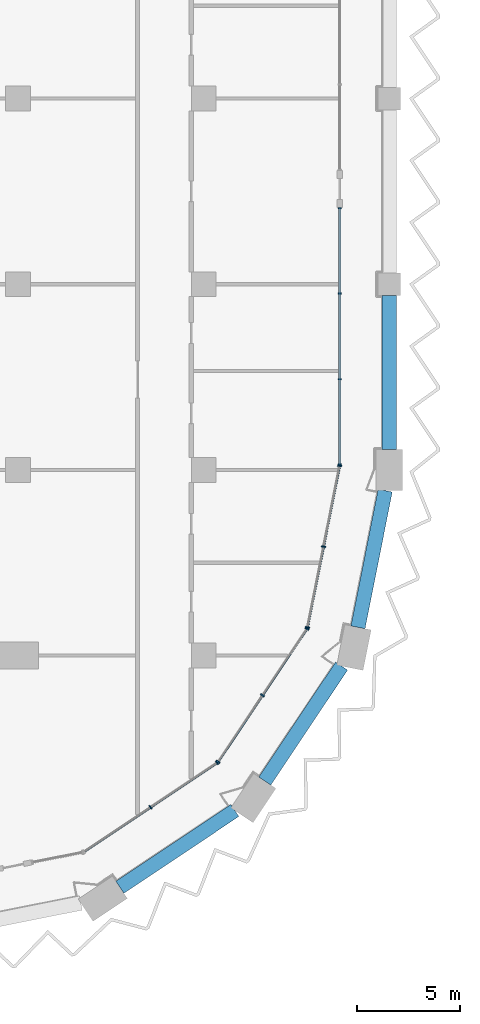
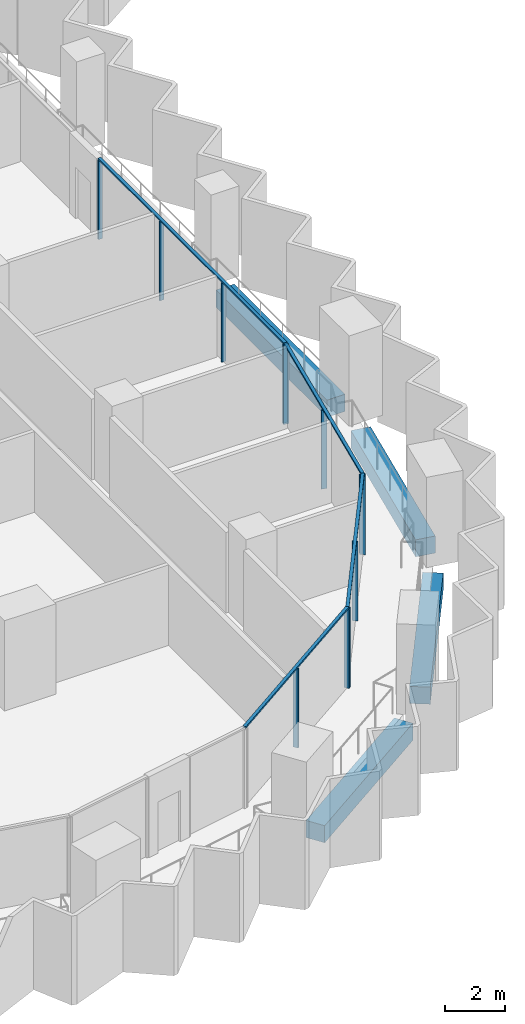
# One storey, part 3 of 22: 16 members, 4 beams, 4 elements without a shape of their own.
"""IFC4 building model written with IfcOpenShell, lengths in metres."""

from ifc_helpers import new_model, si_unit, direction, frame, origin, origin_2d, place, context, subcontext, project, spatial, rectangle, extrude, material, material_profile, profile_set, type_object, element, aggregate, save


model = new_model("IFC4")

# Units and contexts
model_context = context("Model", 3, precision=1e-05, world=origin(), true_north=direction((0.0, 1.0)))
body_context = subcontext(model_context, "Body", "Model", "MODEL_VIEW")
ifc_project = project(units=[si_unit("LENGTHUNIT", "METRE"), si_unit("AREAUNIT", "SQUARE_METRE"), si_unit("VOLUMEUNIT", "CUBIC_METRE"), si_unit("PLANEANGLEUNIT", "RADIAN"), si_unit("MASSUNIT", "GRAM", prefix="KILO")], contexts=[model_context])

# Site, building, storey
site_placement = place(None, origin())
site = spatial("IfcSite", under=ifc_project, at=site_placement, CompositionType="ELEMENT")
building_placement = place(site_placement, origin())
building = spatial("IfcBuilding", under=site, at=building_placement, Name="Hunhe Ridgeline Campus", CompositionType="ELEMENT")
storey_placement = place(building_placement, frame((0.0, 0.0, 137.5)))
storey = spatial("IfcBuildingStorey", under=building, at=storey_placement, Name="L34", CompositionType="ELEMENT", Elevation=137.5)

# Curtain wall, members
ifc_material_1 = material(Name="Aluminium 6063", Category="aluminium")
curtain_wall_type_1 = type_object("IfcCurtainWallType", Name="Curtain wall CW-1", PredefinedType="NOTDEFINED", material=ifc_material_1)
curtain_wall_1_placement = place(storey_placement, origin())
curtain_wall_1 = element("IfcCurtainWall", 1, at=curtain_wall_1_placement, inside=storey, type_object=curtain_wall_type_1, Name="Curtain wall 11", PredefinedType="NOTDEFINED")
ifc_material_profile_1 = material_profile(ifc_material_1, rectangle(XDim=0.159912109375, YDim=0.06005859375, at=origin_2d()))
ifc_profile_set_1 = profile_set([ifc_material_profile_1], Name="Aluminium 6063")
member_type_1 = type_object("IfcMemberType", Name="CW-1 aluminium mullion", PredefinedType="MULLION", material=ifc_profile_set_1)
member_1_placement = place(storey_placement, frame((42.59912109375, 27.266357421875, 0.0), z_axis=(0.0, 0.0, 1.0), x_axis=(-0.99999999999, 4.406345e-06, 0.0)))
member_1 = element("IfcMember", 2, at=member_1_placement, type_object=member_type_1, Name="CW-1 mullion 1", PredefinedType="MULLION", context=body_context, shape_type="SweptSolid", body=[
    extrude(rectangle(XDim=0.159912109375, YDim=0.06005859375, at=origin_2d()), origin(), (0.0, 0.0, 1.0), 3.239990234375),
])
member_2_placement = place(storey_placement, frame((42.59912109375, 31.397216796875, 0.0), z_axis=(0.0, 0.0, 1.0), x_axis=(-0.99999999999, 4.406345e-06, 0.0)))
member_2 = element("IfcMember", 3, at=member_2_placement, type_object=member_type_1, Name="CW-1 mullion 2", PredefinedType="MULLION", context=body_context, shape_type="SweptSolid", body=[
    extrude(rectangle(XDim=0.159912109375, YDim=0.06005859375, at=origin_2d()), origin(), (0.0, 0.0, 1.0), 3.239990234375),
])
member_3_placement = place(storey_placement, frame((42.59912109375, 35.557861328125, 0.0), z_axis=(0.0, 0.0, 1.0), x_axis=(-0.99999999999, 4.406345e-06, 0.0)))
member_3 = element("IfcMember", 4, at=member_3_placement, type_object=member_type_1, Name="CW-1 mullion 3", PredefinedType="MULLION", context=body_context, shape_type="SweptSolid", body=[
    extrude(rectangle(XDim=0.159912109375, YDim=0.06005859375, at=origin_2d()), origin(), (0.0, 0.0, 1.0), 3.239990234375),
])
member_4_placement = place(storey_placement, frame((42.59912109375, 39.6884765625, 0.0), z_axis=(0.0, 0.0, 1.0), x_axis=(-0.99999999999, 4.406345e-06, 0.0)))
member_4 = element("IfcMember", 5, at=member_4_placement, type_object=member_type_1, Name="CW-1 mullion 4", PredefinedType="MULLION", context=body_context, shape_type="SweptSolid", body=[
    extrude(rectangle(XDim=0.159912109375, YDim=0.06005859375, at=origin_2d()), origin(), (0.0, 0.0, 1.0), 3.239990234375),
])
ifc_material_profile_2 = material_profile(ifc_material_1, rectangle(XDim=0.1201171875, YDim=0.06005859375, at=origin_2d()))
ifc_profile_set_2 = profile_set([ifc_material_profile_2], Name="Aluminium 6063")
member_type_2 = type_object("IfcMemberType", Name="CW-1 aluminium transom", PredefinedType="USERDEFINED", material=ifc_profile_set_2)
member_5_placement = place(storey_placement, frame((42.59912109375, 27.236572265625, 3.27001953125), z_axis=(0.0, 1.0, 0.0), x_axis=(-1.0, 0.0, 0.0)))
member_5 = element("IfcMember", 6, at=member_5_placement, type_object=member_type_2, Name="CW-1 transom 1", ObjectType="TRANSOM", PredefinedType="USERDEFINED", context=body_context, shape_type="SweptSolid", body=[
    extrude(rectangle(XDim=0.1201171875, YDim=0.06005859375, at=origin_2d()), origin(), (0.0, 0.0, 1.0), 12.48193359375),
])
aggregate(curtain_wall_1, [member_5, member_1, member_2, member_3, member_4])

curtain_wall_type_2 = type_object("IfcCurtainWallType", Name="Curtain wall CW-5", PredefinedType="NOTDEFINED", material=ifc_material_1)
curtain_wall_2_placement = place(storey_placement, origin())
curtain_wall_2 = element("IfcCurtainWall", 7, at=curtain_wall_2_placement, inside=storey, type_object=curtain_wall_type_2, Name="Curtain wall 08", PredefinedType="NOTDEFINED")
ifc_material_profile_3 = material_profile(ifc_material_1, rectangle(XDim=0.199951171875, YDim=0.070068359375, at=origin_2d()))
ifc_profile_set_3 = profile_set([ifc_material_profile_3], Name="Aluminium 6063")
member_type_3 = type_object("IfcMemberType", Name="CW-5 aluminium mullion", PredefinedType="MULLION", material=ifc_profile_set_3)
member_6_placement = place(storey_placement, frame((33.42626953125, 10.647705078125, 0.0), z_axis=(0.0, 0.0, 1.0), x_axis=(-0.555570274596, 0.831469584522, 0.0)))
member_6 = element("IfcMember", 8, at=member_6_placement, type_object=member_type_3, Name="CW-5 mullion 2", PredefinedType="MULLION", context=body_context, shape_type="SweptSolid", body=[
    extrude(rectangle(XDim=0.199951171875, YDim=0.070068359375, at=origin_2d()), origin(), (0.0, 0.0, 1.0), 3.22998046875),
])
member_7_placement = place(storey_placement, frame((36.649658203125, 12.8017578125, 0.0), z_axis=(0.0, 0.0, 1.0), x_axis=(-0.555570274596, 0.831469584522, 0.0)))
member_7 = element("IfcMember", 9, at=member_7_placement, type_object=member_type_3, Name="CW-5 mullion 3", PredefinedType="MULLION", context=body_context, shape_type="SweptSolid", body=[
    extrude(rectangle(XDim=0.199951171875, YDim=0.070068359375, at=origin_2d()), origin(), (0.0, 0.0, 1.0), 3.22998046875),
])

curtain_wall_3_placement = place(storey_placement, origin())
curtain_wall_3 = element("IfcCurtainWall", 10, at=curtain_wall_3_placement, inside=storey, type_object=curtain_wall_type_2, Name="Curtain wall 09", PredefinedType="NOTDEFINED")
member_8_placement = place(storey_placement, frame((36.6982421875, 12.850341796875, 0.0), z_axis=(0.0, 0.0, 1.0), x_axis=(-0.831469584522, 0.555570274596, 0.0)))
member_8 = element("IfcMember", 11, at=member_8_placement, type_object=member_type_3, Name="CW-5 mullion 1", PredefinedType="MULLION", context=body_context, shape_type="SweptSolid", body=[
    extrude(rectangle(XDim=0.199951171875, YDim=0.070068359375, at=origin_2d()), origin(), (0.0, 0.0, 1.0), 3.22998046875),
])
member_9_placement = place(storey_placement, frame((38.852294921875, 16.07373046875, 0.0), z_axis=(0.0, 0.0, 1.0), x_axis=(-0.831469584522, 0.555570274596, 0.0)))
member_9 = element("IfcMember", 12, at=member_9_placement, type_object=member_type_3, Name="CW-5 mullion 2", PredefinedType="MULLION", context=body_context, shape_type="SweptSolid", body=[
    extrude(rectangle(XDim=0.199951171875, YDim=0.070068359375, at=origin_2d()), origin(), (0.0, 0.0, 1.0), 3.22998046875),
])
member_10_placement = place(storey_placement, frame((41.006103515625, 19.29736328125, 0.0), z_axis=(0.0, 0.0, 1.0), x_axis=(-0.831469584522, 0.555570274596, 0.0)))
member_10 = element("IfcMember", 13, at=member_10_placement, type_object=member_type_3, Name="CW-5 mullion 3", PredefinedType="MULLION", context=body_context, shape_type="SweptSolid", body=[
    extrude(rectangle(XDim=0.199951171875, YDim=0.070068359375, at=origin_2d()), origin(), (0.0, 0.0, 1.0), 3.22998046875),
])

curtain_wall_4_placement = place(storey_placement, origin())
curtain_wall_4 = element("IfcCurtainWall", 14, at=curtain_wall_4_placement, inside=storey, type_object=curtain_wall_type_2, Name="Curtain wall 10", PredefinedType="NOTDEFINED")
member_11_placement = place(storey_placement, frame((41.032470703125, 19.36083984375, 0.0), z_axis=(0.0, 0.0, 1.0), x_axis=(-0.980785284939, 0.195090299215, 0.0)))
member_11 = element("IfcMember", 15, at=member_11_placement, type_object=member_type_3, Name="CW-5 mullion 1", PredefinedType="MULLION", context=body_context, shape_type="SweptSolid", body=[
    extrude(rectangle(XDim=0.199951171875, YDim=0.070068359375, at=origin_2d()), origin(), (0.0, 0.0, 1.0), 3.22998046875),
])
member_12_placement = place(storey_placement, frame((41.812255859375, 23.281494140625, 0.0), z_axis=(0.0, 0.0, 1.0), x_axis=(-0.980785284939, 0.195090299215, 0.0)))
member_12 = element("IfcMember", 16, at=member_12_placement, type_object=member_type_3, Name="CW-5 mullion 2", PredefinedType="MULLION", context=body_context, shape_type="SweptSolid", body=[
    extrude(rectangle(XDim=0.199951171875, YDim=0.070068359375, at=origin_2d()), origin(), (0.0, 0.0, 1.0), 3.22998046875),
])
member_13_placement = place(storey_placement, frame((42.59228515625, 27.2021484375, 0.0), z_axis=(0.0, 0.0, 1.0), x_axis=(-0.980785284939, 0.195090299215, 0.0)))
member_13 = element("IfcMember", 17, at=member_13_placement, type_object=member_type_3, Name="CW-5 mullion 3", PredefinedType="MULLION", context=body_context, shape_type="SweptSolid", body=[
    extrude(rectangle(XDim=0.199951171875, YDim=0.070068359375, at=origin_2d()), origin(), (0.0, 0.0, 1.0), 3.22998046875),
])

# Member
ifc_material_profile_4 = material_profile(ifc_material_1, rectangle(XDim=0.1201171875, YDim=0.070068359375, at=origin_2d()))
ifc_profile_set_4 = profile_set([ifc_material_profile_4], Name="Aluminium 6063")
member_type_4 = type_object("IfcMemberType", Name="CW-5 aluminium transom", PredefinedType="USERDEFINED", material=ifc_profile_set_4)
member_14_placement = place(storey_placement, frame((30.173583984375, 8.474365234375, 3.264892578125), z_axis=(0.831473763475, 0.5555640203, 0.0), x_axis=(-0.5555640203, 0.831473763475, 0.0)))
member_14 = element("IfcMember", 18, at=member_14_placement, type_object=member_type_4, Name="CW-5 transom 1", ObjectType="TRANSOM", PredefinedType="USERDEFINED", context=body_context, shape_type="SweptSolid", body=[
    extrude(rectangle(XDim=0.1201171875, YDim=0.070068359375, at=origin_2d()), origin(), (0.0, 0.0, 1.0), 7.823974609375),
])

aggregate(curtain_wall_2, [member_14, member_6, member_7])

member_15_placement = place(storey_placement, frame((36.678955078125, 12.821044921875, 3.264892578125), z_axis=(0.5555640203, 0.831473763475, 0.0), x_axis=(-0.831473763475, 0.5555640203, 0.0)))
member_15 = element("IfcMember", 19, at=member_15_placement, type_object=member_type_4, Name="CW-5 transom 1", ObjectType="TRANSOM", PredefinedType="USERDEFINED", context=body_context, shape_type="SweptSolid", body=[
    extrude(rectangle(XDim=0.1201171875, YDim=0.070068359375, at=origin_2d()), origin(), (0.0, 0.0, 1.0), 7.823974609375),
])

aggregate(curtain_wall_3, [member_15, member_8, member_9, member_10])

member_16_placement = place(storey_placement, frame((41.025634765625, 19.326416015625, 3.264892578125), z_axis=(0.195097290093, 0.980783894341, 0.0), x_axis=(-0.980783894341, 0.195097290093, 0.0)))
member_16 = element("IfcMember", 20, at=member_16_placement, type_object=member_type_4, Name="CW-5 transom 1", ObjectType="TRANSOM", PredefinedType="USERDEFINED", context=body_context, shape_type="SweptSolid", body=[
    extrude(rectangle(XDim=0.1201171875, YDim=0.070068359375, at=origin_2d()), origin(), (0.0, 0.0, 1.0), 8.065185546875),
])

aggregate(curtain_wall_4, [member_16, member_11, member_12, member_13])

# Beams
ifc_material_2 = material(Name="Concrete C60", Category="concrete")
ifc_material_profile_5 = material_profile(ifc_material_2, rectangle(XDim=0.699951171875, YDim=0.699951171875, at=origin_2d()))
ifc_profile_set_5 = profile_set([ifc_material_profile_5], Name="Concrete C60")
beam_type = type_object("IfcBeamType", Name="RC spandrel beam 700x700 Concrete C60", PredefinedType="SPANDREL", material=ifc_profile_set_5)
for number, where, z_axis, x_axis, name in (
    (21, (31.94189453125, 6.768310546875, -0.60009765625), (0.831472141711, 0.555566447474, 0.0), (-0.555566447474, 0.831472141711, 0.0), "Spandrel beam B2-6 L34"),
    (22, (38.965576171875, 11.921630859375, -0.60009765625), (0.555566447474, 0.831472141711, 0.0), (-0.831472141711, 0.555566447474, 0.0), "Spandrel beam B2-7 L34"),
):
    element("IfcBeam", number, at=place(storey_placement, frame(where, z_axis=z_axis, x_axis=x_axis)), inside=storey, type_object=beam_type, Name=name, PredefinedType="SPANDREL", context=body_context, shape_type="SweptSolid", body=[
        extrude(rectangle(XDim=0.699951171875, YDim=0.699951171875, at=origin_2d()), origin(), (0.0, 0.0, 1.0), 6.69677734375),
    ])
beam_1_placement = place(storey_placement, frame((43.482421875, 19.370361328125, -0.60009765625), z_axis=(0.195074154586, 0.980788496166, 0.0), x_axis=(-0.980788496166, 0.195074154586, 0.0)))
element("IfcBeam", 23, at=beam_1_placement, inside=storey, type_object=beam_type, Name="Spandrel beam B2-8 L34", PredefinedType="SPANDREL", context=body_context, shape_type="SweptSolid", body=[
    extrude(rectangle(XDim=0.699951171875, YDim=0.699951171875, at=origin_2d()), origin(), (0.0, 0.0, 1.0), 6.759521484375),
])
beam_2_placement = place(storey_placement, frame((45.0, 28.0, -0.60009765625), z_axis=(0.0, 1.0, 0.0), x_axis=(-1.0, 0.0, 0.0)))
element("IfcBeam", 24, at=beam_2_placement, inside=storey, type_object=beam_type, Name="Spandrel beam B2-9 L34", PredefinedType="SPANDREL", context=body_context, shape_type="SweptSolid", body=[
    extrude(rectangle(XDim=0.699951171875, YDim=0.699951171875, at=origin_2d()), origin(), (0.0, 0.0, 1.0), 7.449951171875),
])

save(model, "model.ifc")
